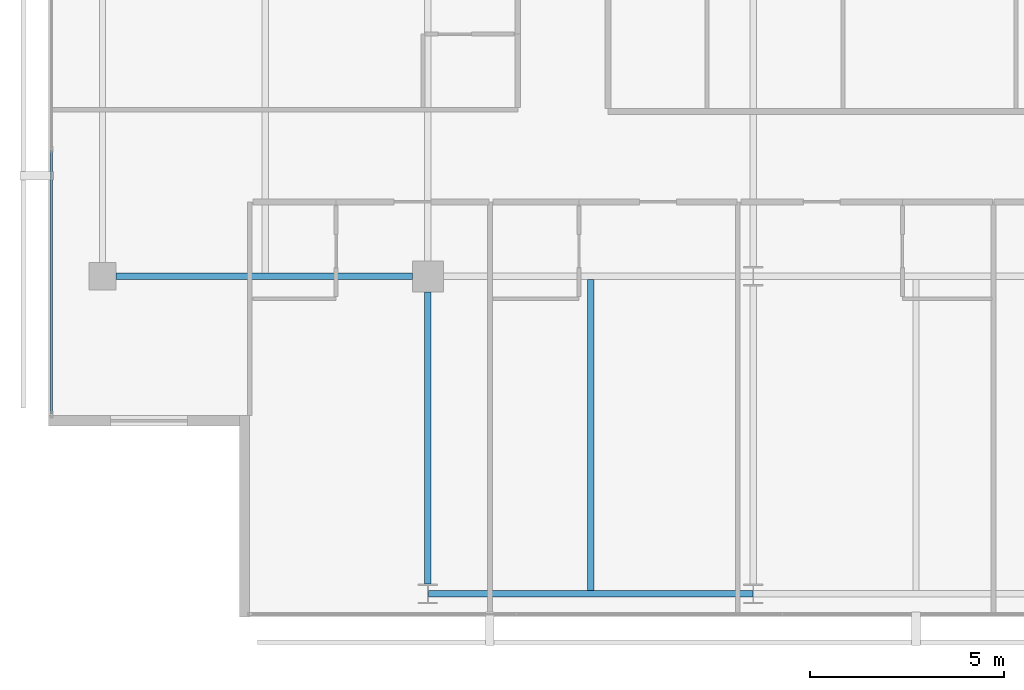
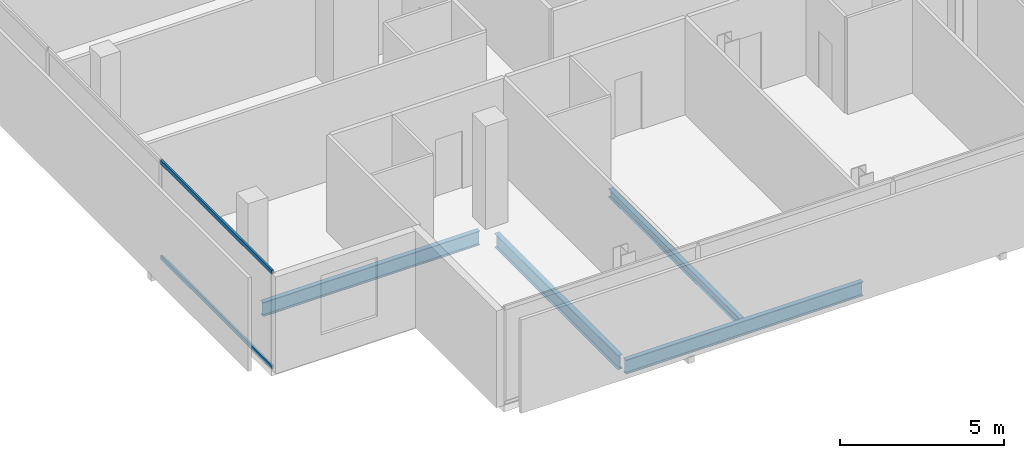
# One storey, part 3 of 26: 4 beams, 2 members, 1 element without a shape of its own.
"""IFC4 building model written with IfcOpenShell, lengths in metres."""

from ifc_helpers import new_model, si_unit, direction, frame, origin, origin_2d, place, context, subcontext, project, spatial, hollow_rectangle, i_section, extrude, material, layer, layer_set, material_profile, profile_set, type_object, element, aggregate, save


model = new_model("IFC4")

# Units and contexts
model_context = context("Model", 3, precision=1e-05, world=origin(), true_north=direction((0.0, 1.0)))
body_context = subcontext(model_context, "Body", "Model", "MODEL_VIEW")
ifc_project = project(units=[si_unit("LENGTHUNIT", "METRE"), si_unit("AREAUNIT", "SQUARE_METRE"), si_unit("VOLUMEUNIT", "CUBIC_METRE"), si_unit("PLANEANGLEUNIT", "RADIAN"), si_unit("MASSUNIT", "GRAM", prefix="KILO")], contexts=[model_context])

# Site, building, storey
site_placement = place(None, origin())
site = spatial("IfcSite", under=ifc_project, at=site_placement, CompositionType="ELEMENT")
building_placement = place(site_placement, origin())
building = spatial("IfcBuilding", under=site, at=building_placement, Name="Maruvema Waterfront Hotel and Observation Tower", CompositionType="ELEMENT")
storey_placement = place(building_placement, frame((0.0, 0.0, 289.449951171875)))
storey = spatial("IfcBuildingStorey", under=building, at=storey_placement, Name="L71", CompositionType="ELEMENT", Elevation=289.449951171875)

# Curtain wall, members
ifc_material_1 = material(Name="Anodised bronze aluminium and solar-control low-E IGU", Category="aluminium")
ifc_layer = layer(ifc_material_1, 0.159912109375, Name="Zone 3 Champagne Inner Thermal Curtain Wall System CW-04")
ifc_layer_set = layer_set([ifc_layer], Name="Anodised bronze aluminium and solar-control low-E IGU")
curtain_wall_type = type_object("IfcCurtainWallType", Name="Zone 3 Champagne Inner Thermal Curtain Wall System CW-04", PredefinedType="USERDEFINED", material=ifc_layer_set)
curtain_wall_placement = place(storey_placement, origin())
curtain_wall = element("IfcCurtainWall", 1, at=curtain_wall_placement, inside=storey, type_object=curtain_wall_type, Name="L71 Curtain Wall CW-L71-W", ObjectType="UNITISED CURTAIN WALL", PredefinedType="USERDEFINED")
ifc_material_2 = material(Name="Anodised architectural bronze aluminium", Category="aluminium")
ifc_material_profile_1 = material_profile(ifc_material_2, hollow_rectangle(XDim=0.070068359375, YDim=0.14990234375, WallThickness=0.00390625, at=origin_2d()), Name="ALU-T70x150")
ifc_profile_set_1 = profile_set([ifc_material_profile_1], Name="Anodised architectural bronze aluminium")
member_type = type_object("IfcMemberType", Name="Curtain Wall Horizontal Transom ALU-T70x150", PredefinedType="USERDEFINED", material=ifc_profile_set_1)
member_1_placement = place(storey_placement, frame((15.47998046875, 21.25, 0.030029296875), z_axis=(0.0, -1.0, 0.0), x_axis=(1.0, 0.0, 0.0)))
member_1 = element("IfcMember", 2, at=member_1_placement, type_object=member_type, Name="CW-04 transom 5.1", ObjectType="TRANSOM", PredefinedType="USERDEFINED", context=body_context, shape_type="SweptSolid", body=[
    extrude(hollow_rectangle(XDim=0.070068359375, YDim=0.14990234375, WallThickness=0.00390625, at=origin_2d()), origin(), (0.0, 0.0, 1.0), 6.7900390625),
])
member_2_placement = place(storey_placement, frame((15.47998046875, 21.25, 3.580078125), z_axis=(0.0, -1.0, 0.0), x_axis=(1.0, 0.0, 0.0)))
member_2 = element("IfcMember", 3, at=member_2_placement, type_object=member_type, Name="CW-04 transom 5.2", ObjectType="TRANSOM", PredefinedType="USERDEFINED", context=body_context, shape_type="SweptSolid", body=[
    extrude(hollow_rectangle(XDim=0.070068359375, YDim=0.14990234375, WallThickness=0.00390625, at=origin_2d()), origin(), (0.0, 0.0, 1.0), 6.7900390625),
])
aggregate(curtain_wall, [member_1, member_2])

# Beams
ifc_material_3 = material(Name="Steel ASTM A572 Grade 50", Category="steel")
ifc_material_profile_2 = material_profile(ifc_material_3, i_section(OverallWidth=0.166015625, OverallDepth=0.529052734375, WebThickness=0.009765625, FlangeThickness=0.013671875, FilletRadius=0.014892578125, at=origin_2d()), Name="W530x74.0")
ifc_profile_set_2 = profile_set([ifc_material_profile_2], Name="Steel ASTM A572 Grade 50")
beam_type_1 = type_object("IfcBeamType", Name="Primary Floor Girder W530x74.0", PredefinedType="BEAM", material=ifc_profile_set_2)
beam_1_placement = place(storey_placement, frame((25.2109375, 9.800048828125, -0.50439453125), z_axis=(1.0, 0.0, 0.0), x_axis=(0.0, 1.0, 0.0)))
element("IfcBeam", 4, at=beam_1_placement, inside=storey, type_object=beam_type_1, Name="L71 Floor Girder EW-01", PredefinedType="BEAM", context=body_context, shape_type="SweptSolid", body=[
    extrude(i_section(OverallWidth=0.166015625, OverallDepth=0.529052734375, WebThickness=0.009765625, FlangeThickness=0.013671875, FilletRadius=0.014892578125, at=origin_2d()), origin(), (0.0, 0.0, 1.0), 8.378173828125),
])
beam_2_placement = place(storey_placement, frame((17.14990234375, 18.0, -0.50439453125), z_axis=(1.0, 0.0, 0.0), x_axis=(0.0, 1.0, 0.0)))
element("IfcBeam", 5, at=beam_2_placement, inside=storey, type_object=beam_type_1, Name="L71 Floor Girder EW-04", PredefinedType="BEAM", context=body_context, shape_type="SweptSolid", body=[
    extrude(i_section(OverallWidth=0.166015625, OverallDepth=0.529052734375, WebThickness=0.009765625, FlangeThickness=0.013671875, FilletRadius=0.014892578125, at=origin_2d()), origin(), (0.0, 0.0, 1.0), 7.650146484375),
])
beam_3_placement = place(storey_placement, frame((25.199951171875, 10.050048828125, -0.50439453125), z_axis=(0.0, 1.0, 0.0), x_axis=(-1.0, 0.0, 0.0)))
element("IfcBeam", 6, at=beam_3_placement, inside=storey, type_object=beam_type_1, Name="L71 Floor Girder NS-04", PredefinedType="BEAM", context=body_context, shape_type="SweptSolid", body=[
    extrude(i_section(OverallWidth=0.166015625, OverallDepth=0.529052734375, WebThickness=0.009765625, FlangeThickness=0.013671875, FilletRadius=0.014892578125, at=origin_2d()), origin(), (0.0, 0.0, 1.0), 7.550048828125),
])
ifc_material_4 = material(Name="Steel ASTM A572 Grade 50", Category="steel")
ifc_material_profile_3 = material_profile(ifc_material_4, i_section(OverallWidth=0.1650390625, OverallDepth=0.31005859375, WebThickness=0.005859375, FlangeThickness=0.009765625, FilletRadius=0.012939453125, at=origin_2d()), Name="W310x38.7")
ifc_profile_set_3 = profile_set([ifc_material_profile_3], Name="Steel ASTM A572 Grade 50")
beam_type_2 = type_object("IfcBeamType", Name="Secondary Floor Joist W310x38.7", PredefinedType="JOIST", material=ifc_profile_set_3)
beam_4_placement = place(storey_placement, frame((29.39990234375, 9.883056640625, -0.39501953125), z_axis=(0.0, 1.0, 0.0), x_axis=(-1.0, 0.0, 0.0)))
element("IfcBeam", 7, at=beam_4_placement, inside=storey, type_object=beam_type_2, Name="L71 Secondary Floor Joist JS-04", PredefinedType="JOIST", context=body_context, shape_type="SweptSolid", body=[
    extrude(i_section(OverallWidth=0.1650390625, OverallDepth=0.31005859375, WebThickness=0.005859375, FlangeThickness=0.009765625, FilletRadius=0.012939453125, at=origin_2d()), origin(), (0.0, 0.0, 1.0), 8.033935546875),
])

save(model, "model.ifc")
